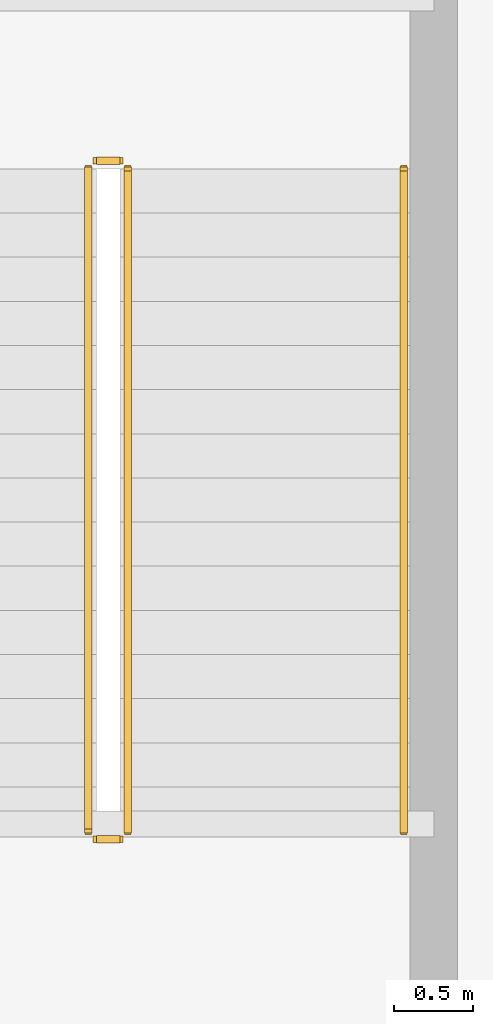
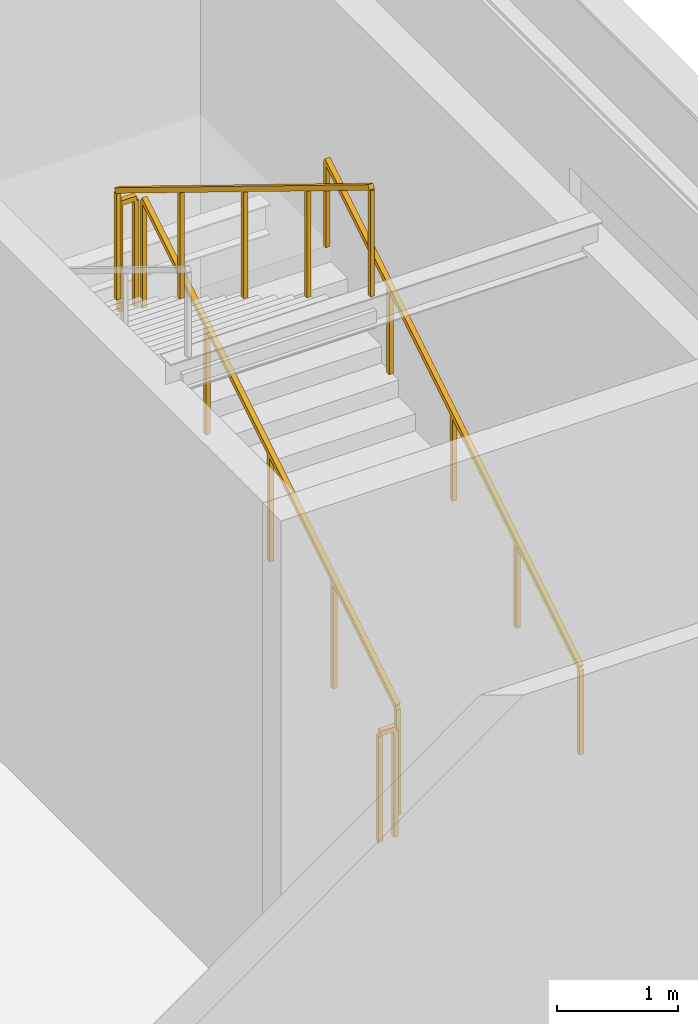
# One storey, part 24 of 24: 5 railings.
"""IFC4 building model written with IfcOpenShell, lengths in metres."""

from ifc_helpers import new_model, si_unit, direction, frame, origin, origin_2d, place, context, subcontext, project, spatial, rectangle, extrude, material, type_object, element, save


model = new_model("IFC4")

# Units and contexts
model_context = context("Model", 3, precision=1e-05, world=origin(), true_north=direction((0.0, 1.0)))
body_context = subcontext(model_context, "Body", "Model", "MODEL_VIEW")
ifc_project = project(units=[si_unit("LENGTHUNIT", "METRE"), si_unit("AREAUNIT", "SQUARE_METRE"), si_unit("VOLUMEUNIT", "CUBIC_METRE"), si_unit("PLANEANGLEUNIT", "RADIAN"), si_unit("MASSUNIT", "GRAM", prefix="KILO")], contexts=[model_context])

# Site, building, storey
site_placement = place(None, origin())
site = spatial("IfcSite", under=ifc_project, at=site_placement, CompositionType="ELEMENT")
building_placement = place(site_placement, origin())
building = spatial("IfcBuilding", under=site, at=building_placement, Name="Vantalir Tower", CompositionType="ELEMENT")
storey_placement = place(building_placement, frame((0.0, 0.0, 16.0)))
storey = spatial("IfcBuildingStorey", under=building, at=storey_placement, Name="L03", CompositionType="ELEMENT", Elevation=16.0)

# Railings
ifc_material_1 = material(Name="Anodised aluminium and stainless steel guard", Category="steel")
railing_type_1 = type_object("IfcRailingType", Name="RAL-GUARD-1120", PredefinedType="GUARDRAIL", material=ifc_material_1)
railing_1_placement = place(storey_placement, frame((57.199951171875, 40.85009765625, 0.171875)))
element("IfcRailing", 1, at=railing_1_placement, inside=storey, type_object=railing_type_1, Name="L03 PST2 stair guard 1", PredefinedType="GUARDRAIL", context=body_context, shape_type="SweptSolid", body=[
    extrude(rectangle(XDim=0.048095703125, YDim=0.048095703125, at=origin_2d()), frame((0.0, 0.0, 1.09619140625), z_axis=(0.0, 0.852242915053, 0.523146264196), x_axis=(-1.0, 0.0, 0.0)), (0.0, 0.0, 1.0), 4.92822265625),
    extrude(rectangle(XDim=0.0419921875, YDim=0.0419921875, at=origin_2d()), origin(), (0.0, 0.0, 1.0), 1.072021484375),
    extrude(rectangle(XDim=0.0419921875, YDim=0.0419921875, at=origin_2d()), frame((0.0, 1.050048828125, 0.64453125)), (0.0, 0.0, 1.0), 1.072021484375),
    extrude(rectangle(XDim=0.0419921875, YDim=0.0419921875, at=origin_2d()), frame((0.0, 2.10009765625, 1.2890625)), (0.0, 0.0, 1.0), 1.072021484375),
    extrude(rectangle(XDim=0.0419921875, YDim=0.0419921875, at=origin_2d()), frame((0.0, 3.14990234375, 1.93359375)), (0.0, 0.0, 1.0), 1.072021484375),
    extrude(rectangle(XDim=0.0419921875, YDim=0.0419921875, at=origin_2d()), frame((0.0, 4.199951171875, 2.578125)), (0.0, 0.0, 1.0), 1.072021484375),
])
railing_2_placement = place(storey_placement, frame((57.14990234375, 45.10009765625, 2.75)))
element("IfcRailing", 2, at=railing_2_placement, inside=storey, type_object=railing_type_1, Name="L03 PST2 stair guard 2", PredefinedType="GUARDRAIL", context=body_context, shape_type="SweptSolid", body=[
    extrude(rectangle(XDim=0.048095703125, YDim=0.048095703125, at=origin_2d()), frame((0.0, 0.0, 1.09619140625), z_axis=(-1.0, 0.0, 0.0), x_axis=(0.0, -1.0, 0.0)), (0.0, 0.0, 1.0), 0.14990234375),
    extrude(rectangle(XDim=0.0419921875, YDim=0.0419921875, at=origin_2d()), origin(), (0.0, 0.0, 1.0), 1.072021484375),
    extrude(rectangle(XDim=0.0419921875, YDim=0.0419921875, at=origin_2d()), frame((-0.14990234375, 0.0, 0.0)), (0.0, 0.0, 1.0), 1.072021484375),
])
railing_3_placement = place(storey_placement, frame((56.949951171875, 45.050048828125, 2.921875)))
element("IfcRailing", 3, at=railing_3_placement, inside=storey, type_object=railing_type_1, Name="L03 PST2 stair guard 3", PredefinedType="GUARDRAIL", context=body_context, shape_type="SweptSolid", body=[
    extrude(rectangle(XDim=0.048095703125, YDim=0.048095703125, at=origin_2d()), frame((0.0, 0.0, 1.09619140625), z_axis=(0.0, -0.852242915053, 0.523146264196), x_axis=(1.0, 0.0, 0.0)), (0.0, 0.0, 1.0), 4.92822265625),
    extrude(rectangle(XDim=0.0419921875, YDim=0.0419921875, at=origin_2d()), origin(), (0.0, 0.0, 1.0), 1.072021484375),
    extrude(rectangle(XDim=0.0419921875, YDim=0.0419921875, at=origin_2d()), frame((0.0, -1.050048828125, 0.64453125)), (0.0, 0.0, 1.0), 1.072021484375),
    extrude(rectangle(XDim=0.0419921875, YDim=0.0419921875, at=origin_2d()), frame((0.0, -2.10009765625, 1.2890625)), (0.0, 0.0, 1.0), 1.072021484375),
    extrude(rectangle(XDim=0.0419921875, YDim=0.0419921875, at=origin_2d()), frame((0.0, -3.14990234375, 1.93359375)), (0.0, 0.0, 1.0), 1.072021484375),
    extrude(rectangle(XDim=0.0419921875, YDim=0.0419921875, at=origin_2d()), frame((0.0, -4.199951171875, 2.578125)), (0.0, 0.0, 1.0), 1.072021484375),
])
railing_4_placement = place(storey_placement, frame((57.14990234375, 40.800048828125, 0.0)))
element("IfcRailing", 4, at=railing_4_placement, inside=storey, type_object=railing_type_1, Name="L03 PST2 stair guard 4", PredefinedType="GUARDRAIL", context=body_context, shape_type="SweptSolid", body=[
    extrude(rectangle(XDim=0.048095703125, YDim=0.048095703125, at=origin_2d()), frame((0.0, 0.0, 1.09619140625), z_axis=(-1.0, 0.0, 0.0), x_axis=(0.0, -1.0, 0.0)), (0.0, 0.0, 1.0), 0.14990234375),
    extrude(rectangle(XDim=0.0419921875, YDim=0.0419921875, at=origin_2d()), origin(), (0.0, 0.0, 1.0), 1.072021484375),
    extrude(rectangle(XDim=0.0419921875, YDim=0.0419921875, at=origin_2d()), frame((-0.14990234375, 0.0, 0.0)), (0.0, 0.0, 1.0), 1.072021484375),
])
ifc_material_2 = material(Name="Brushed stainless steel tubular handrail", Category="steel")
railing_type_2 = type_object("IfcRailingType", Name="RAL-HANDRAIL-900", PredefinedType="HANDRAIL", material=ifc_material_2)
railing_5_placement = place(storey_placement, frame((58.949951171875, 40.85009765625, 0.171875)))
element("IfcRailing", 5, at=railing_5_placement, inside=storey, type_object=railing_type_2, Name="L03 PST2 stair handrail 1", PredefinedType="HANDRAIL", context=body_context, shape_type="SweptSolid", body=[
    extrude(rectangle(XDim=0.048095703125, YDim=0.048095703125, at=origin_2d()), frame((0.0, 0.0, 0.8759765625), z_axis=(0.0, 0.852242915053, 0.523146264196), x_axis=(-1.0, 0.0, 0.0)), (0.0, 0.0, 1.0), 4.92822265625),
    extrude(rectangle(XDim=0.0419921875, YDim=0.0419921875, at=origin_2d()), origin(), (0.0, 0.0, 1.0), 0.851806640625),
    extrude(rectangle(XDim=0.0419921875, YDim=0.0419921875, at=origin_2d()), frame((0.0, 1.050048828125, 0.64453125)), (0.0, 0.0, 1.0), 0.851806640625),
    extrude(rectangle(XDim=0.0419921875, YDim=0.0419921875, at=origin_2d()), frame((0.0, 2.10009765625, 1.2890625)), (0.0, 0.0, 1.0), 0.851806640625),
    extrude(rectangle(XDim=0.0419921875, YDim=0.0419921875, at=origin_2d()), frame((0.0, 3.14990234375, 1.93359375)), (0.0, 0.0, 1.0), 0.851806640625),
    extrude(rectangle(XDim=0.0419921875, YDim=0.0419921875, at=origin_2d()), frame((0.0, 4.199951171875, 2.578125)), (0.0, 0.0, 1.0), 0.851806640625),
])

save(model, "model.ifc")
